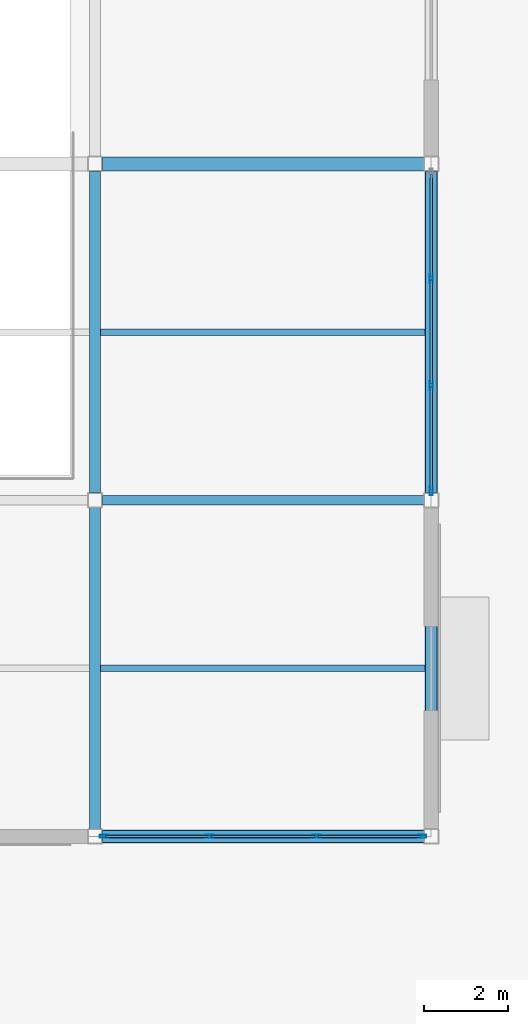
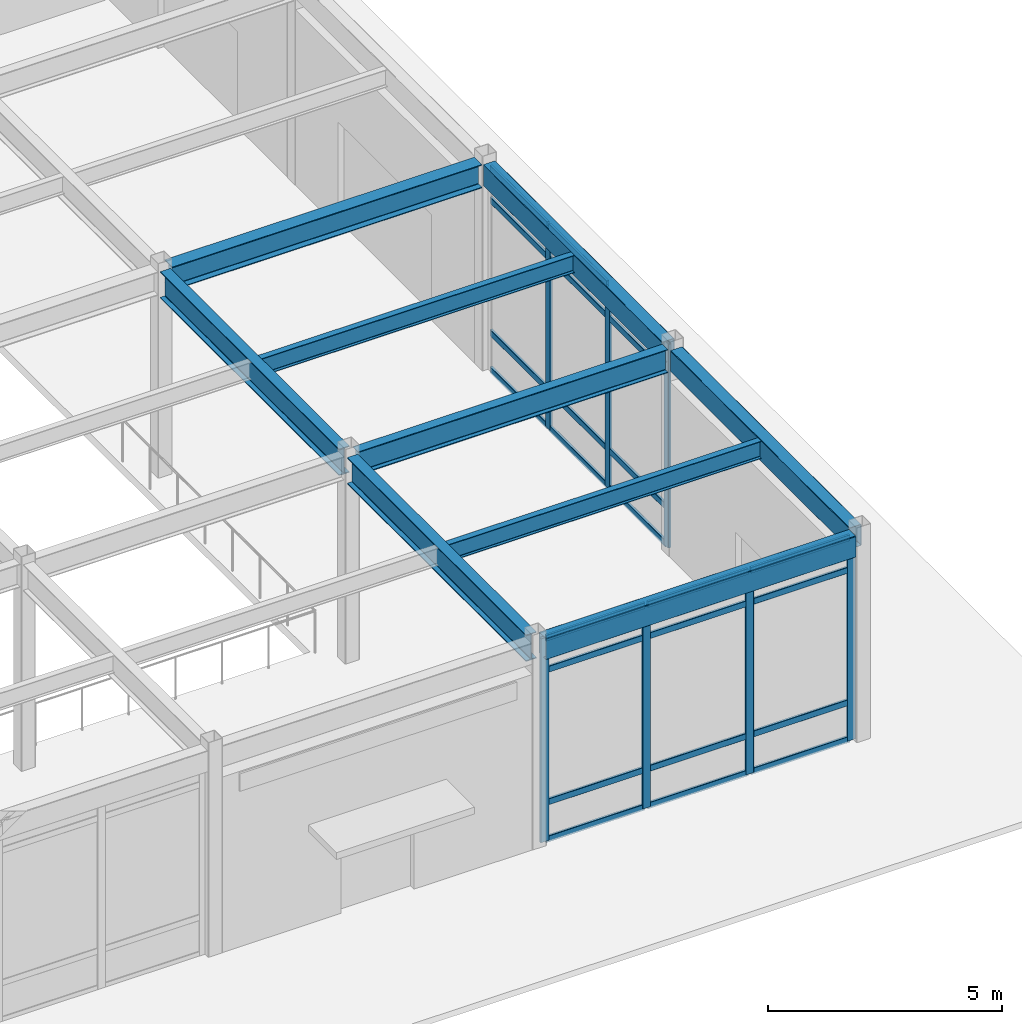
# One storey, part 79 of 128: 31 members, 9 beams, 2 elements without a shape of their own.
"""IFC4 building model written with IfcOpenShell, lengths in metres."""

import ifcopenshell
import ifcopenshell.guid

model = None  # the IFC model being written
_history = None  # IfcOwnerHistory: only IFC2X3 demands one
_inside = {}  # id of a spatial element -> (the spatial element, [elements in it])
_under = {}  # id of a project, library or spatial element -> (it, [spatial elements below it])
_declared = {}  # id of a project -> (the project, [libraries it declares])
_typed = {}  # id of a type object -> (the type object, [elements of that type])
_made_of = {}  # id of a material, layer set ... -> (it, [elements and type objects made of it])


def new_model(schema):
    """Start an empty IFC model of exactly this schema.

    Asked for "IFC4X3", IfcOpenShell would pick the latest addendum, in which some entities
    have other attributes; the version numbers below select the first issue.
    IFC2X3 requires an IfcOwnerHistory on every rooted entity: one is made here for all.
    """
    global model, _history
    if schema == "IFC4X3":
        model = ifcopenshell.file(schema_version=(4, 3, 0, 0))
    else:
        model = ifcopenshell.file(schema=schema)
    _inside.clear()
    _under.clear()
    _declared.clear()
    _typed.clear()
    _made_of.clear()
    _history = None
    if model.schema == "IFC2X3":
        org = make("IfcOrganization", Name="unknown")
        user = make(
            "IfcPersonAndOrganization",
            ThePerson=make("IfcPerson", FamilyName="unknown"),
            TheOrganization=org,
        )
        app = make(
            "IfcApplication",
            ApplicationDeveloper=org,
            Version="unknown",
            ApplicationFullName="unknown",
            ApplicationIdentifier="unknown",
        )
        _history = make(
            "IfcOwnerHistory",
            OwningUser=user,
            OwningApplication=app,
            ChangeAction="ADDED",
            CreationDate=0,
        )
    return model


def make(cls, **values):
    """One entity of the class cls with the attributes given. An attribute that is None is left unset."""
    return model.create_entity(
        cls, **{name: value for name, value in values.items() if value is not None}
    )


def rooted(cls, **values):
    """An entity with a GlobalId (a new one), such as an element, a storey or a relation."""
    return make(cls, GlobalId=ifcopenshell.guid.new(), OwnerHistory=_history, **values)


def si_unit(unit_type, name, prefix=None):
    """IfcSIUnit, for example si_unit("LENGTHUNIT", "METRE", prefix="MILLI")."""
    return make("IfcSIUnit", UnitType=unit_type, Prefix=prefix, Name=name)


def assignment(units):
    """IfcUnitAssignment: the units of a project."""
    return None if units is None else make("IfcUnitAssignment", Units=units)


def point(xyz):
    """IfcCartesianPoint."""
    return None if xyz is None else make("IfcCartesianPoint", Coordinates=xyz)


def direction(xyz):
    """IfcDirection."""
    return None if xyz is None else make("IfcDirection", DirectionRatios=xyz)


def frame(location, z_axis=None, x_axis=None):
    """IfcAxis2Placement3D, a coordinate frame: its origin and axes. An axis left out is left unset."""
    return make(
        "IfcAxis2Placement3D",
        Location=point(location),
        Axis=direction(z_axis),
        RefDirection=direction(x_axis),
    )


def frame_2d(location, x_axis=None):
    """IfcAxis2Placement2D, a coordinate frame in the plane: its origin and x axis."""
    return make(
        "IfcAxis2Placement2D", Location=point(location), RefDirection=direction(x_axis)
    )


def origin():
    """The frame at (0, 0, 0) with its axes left unset."""
    return frame((0.0, 0.0, 0.0))


def origin_2d():
    """The frame at (0, 0) in the plane with its x axis left unset."""
    return frame_2d((0.0, 0.0))


def place(relative_to, where):
    """IfcLocalPlacement: puts the frame where relative to a parent placement (None: the world)."""
    return make(
        "IfcLocalPlacement", PlacementRelTo=relative_to, RelativePlacement=where
    )


def context(
    kind, dimensions, precision=None, world=None, true_north=None, identifier=None
):
    """IfcGeometricRepresentationContext, for example the 3D "Model" context."""
    return make(
        "IfcGeometricRepresentationContext",
        ContextIdentifier=identifier,
        ContextType=kind,
        CoordinateSpaceDimension=dimensions,
        Precision=precision,
        WorldCoordinateSystem=world,
        TrueNorth=true_north,
    )


def subcontext(parent, identifier, kind, view, scale=None):
    """IfcGeometricRepresentationSubContext, for example "Body" below "Model"."""
    return make(
        "IfcGeometricRepresentationSubContext",
        ContextIdentifier=identifier,
        ContextType=kind,
        ParentContext=parent,
        TargetScale=scale,
        TargetView=view,
    )


def project(units=None, contexts=None):
    """IfcProject with its units and contexts."""
    return rooted(
        "IfcProject",
        Name="project",
        RepresentationContexts=contexts,
        UnitsInContext=assignment(units),
    )


def spatial(cls, under=None, at=None, **own):
    """A site, building, storey or space (cls), placed at a placement, below another one or the project."""
    s = rooted(cls, ObjectPlacement=at, **own)
    if under is not None:
        _under.setdefault(under.id(), (under, []))[1].append(s)
    return s


def profile(cls, at=None, kind="AREA", **sizes):
    """A parametric profile (cls). Its sizes go by their IFC names, for example OverallWidth=200.0."""
    return make(cls, ProfileType=kind, Position=at, **sizes)


def hollow_rectangle(**sizes):
    """IfcRectangleHollowProfileDef."""
    return profile("IfcRectangleHollowProfileDef", **sizes)


def i_section(**sizes):
    """IfcIShapeProfileDef."""
    return profile("IfcIShapeProfileDef", **sizes)


def extrude(swept, where, along, depth):
    """IfcExtrudedAreaSolid: the profile swept, set in the frame where, extruded along a direction by depth."""
    return make(
        "IfcExtrudedAreaSolid",
        SweptArea=swept,
        Position=where,
        ExtrudedDirection=direction(along),
        Depth=depth,
    )


def shape(context_of_items, identifier, shape_type, items):
    """IfcShapeRepresentation: the items that make up one representation, for example the "Body"."""
    return make(
        "IfcShapeRepresentation",
        ContextOfItems=context_of_items,
        RepresentationIdentifier=identifier,
        RepresentationType=shape_type,
        Items=items,
    )


def material(Name=None, Category=None):
    """IfcMaterial."""
    return make("IfcMaterial", Name=Name, Category=Category)


def material_profile(
    of_material, cross_section, Name=None, Category=None, Priority=None
):
    """IfcMaterialProfile: a cross section and its material."""
    return make(
        "IfcMaterialProfile",
        Name=Name,
        Material=of_material,
        Profile=cross_section,
        Priority=Priority,
        Category=Category,
    )


def profile_set(profiles, Name=None, composite=None):
    """IfcMaterialProfileSet."""
    return make(
        "IfcMaterialProfileSet",
        Name=Name,
        MaterialProfiles=profiles,
        CompositeProfile=composite,
    )


def made_of(thing, what):
    """Note that an element or type object is made of a material, layer set ...; save() writes the relation."""
    if what is not None:
        _made_of.setdefault(what.id(), (what, []))[1].append(thing)
    return thing


def type_object(cls, material=None, **own):
    """A type object (cls), such as IfcWallType, which elements share."""
    return made_of(rooted(cls, **own), material)


def element(
    cls,
    number,
    at=None,
    inside=None,
    cuts=None,
    type_object=None,
    material=None,
    context=None,
    identifier="Body",
    shape_type=None,
    held_by="IfcProductDefinitionShape",
    body=None,
    shapes=None,
    **own,
):
    """One element of the class cls, such as IfcWall. Its Tag is "e" and its number.

    at: its placement. inside: the storey or other place that contains it. cuts: it is an
    opening in that element (IfcRelVoidsElement). A single representation is given by context,
    identifier, shape_type and body (its items); several are given by shapes. held_by: the class
    of the entity that holds the representations. save() writes the other relations.
    """
    e = rooted(cls, Tag="e%d" % number, ObjectPlacement=at, **own)
    if body is not None:
        shapes = [shape(context, identifier, shape_type, body)]
    if shapes is not None:
        e.Representation = make(held_by, Representations=shapes)
    if inside is not None:
        _inside.setdefault(inside.id(), (inside, []))[1].append(e)
    if cuts is not None:
        rooted(
            "IfcRelVoidsElement", RelatingBuildingElement=cuts, RelatedOpeningElement=e
        )
    if type_object is not None:
        _typed.setdefault(type_object.id(), (type_object, []))[1].append(e)
    return made_of(e, material)


def aggregate(whole, parts):
    """IfcRelAggregates: a whole, such as a stair, and the parts it consists of."""
    return rooted("IfcRelAggregates", RelatingObject=whole, RelatedObjects=parts)


def save(model, path):
    """Write the relations noted so far, then the file.

    IfcRelAggregates (storeys below a building ...), IfcRelContainedInSpatialStructure (elements
    in a storey), IfcRelDefinesByType, IfcRelAssociatesMaterial and IfcRelDeclares: one each for
    every whole, place, type object, material and project.
    """
    for whole, parts in _under.values():
        aggregate(whole, parts)
    for where, things in _inside.values():
        rooted(
            "IfcRelContainedInSpatialStructure",
            RelatedElements=things,
            RelatingStructure=where,
        )
    for kind, things in _typed.values():
        rooted("IfcRelDefinesByType", RelatedObjects=things, RelatingType=kind)
    for what, things in _made_of.values():
        rooted("IfcRelAssociatesMaterial", RelatedObjects=things, RelatingMaterial=what)
    for by, libraries in _declared.values():
        rooted("IfcRelDeclares", RelatingContext=by, RelatedDefinitions=libraries)
    model.write(path)


model = new_model("IFC4")

# Units and contexts
model_context = context("Model", 3, precision=1e-05, world=origin(), true_north=direction((0.0, 1.0)))
body_context = subcontext(model_context, "Body", "Model", "MODEL_VIEW")
ifc_project = project(units=[si_unit("LENGTHUNIT", "METRE"), si_unit("AREAUNIT", "SQUARE_METRE"), si_unit("VOLUMEUNIT", "CUBIC_METRE"), si_unit("PLANEANGLEUNIT", "RADIAN"), si_unit("MASSUNIT", "GRAM", prefix="KILO")], contexts=[model_context])

# Site, building, storey
site_placement = place(None, origin())
site = spatial("IfcSite", under=ifc_project, at=site_placement, CompositionType="ELEMENT")
building_placement = place(site_placement, origin())
building = spatial("IfcBuilding", under=site, at=building_placement, Name="Solmirada Galleria", CompositionType="ELEMENT")
storey_placement = place(building_placement, origin())
storey = spatial("IfcBuildingStorey", under=building, at=storey_placement, Name="L00", CompositionType="ELEMENT", Elevation=0.0)

# Beams
ifc_material_1 = material(Name="Steel S355 / ASTM A992 Grade 50", Category="steel")
ifc_material_profile_1 = material_profile(ifc_material_1, i_section(OverallWidth=0.323974609375, OverallDepth=0.611083984375, WebThickness=0.0126953125, FlangeThickness=0.01904296875, FilletRadius=0.014892578125, at=origin_2d()), Name="W24X104")
ifc_profile_set_1 = profile_set([ifc_material_profile_1], Name="Steel S355 / ASTM A992 Grade 50")
beam_type_1 = type_object("IfcBeamType", Name="BM-GIRD-W24A", PredefinedType="BEAM", material=ifc_profile_set_1)
beam_1_placement = place(storey_placement, frame((168.177978515625, 16.0, 5.074462890625), z_axis=(1.0, 0.0, 0.0), x_axis=(0.0, 1.0, 0.0)))
element("IfcBeam", 1, at=beam_1_placement, inside=storey, type_object=beam_type_1, Name="Primary beam L01 X(168..176, 16)", PredefinedType="BEAM", context=body_context, shape_type="SweptSolid", body=[
    extrude(i_section(OverallWidth=0.323974609375, OverallDepth=0.611083984375, WebThickness=0.0126953125, FlangeThickness=0.01904296875, FilletRadius=0.014892578125, at=origin_2d()), origin(), (0.0, 0.0, 1.0), 7.64404296875),
])
ifc_material_profile_2 = material_profile(ifc_material_1, i_section(OverallWidth=0.22900390625, OverallDepth=0.612060546875, WebThickness=0.011962890625, FlangeThickness=0.01953125, FilletRadius=0.014892578125, at=origin_2d()), Name="W24X84")
ifc_profile_set_2 = profile_set([ifc_material_profile_2], Name="Steel S355 / ASTM A992 Grade 50")
beam_type_2 = type_object("IfcBeamType", Name="BM-GIRD-W24B", PredefinedType="BEAM", material=ifc_profile_set_2)
beam_2_placement = place(storey_placement, frame((168.177978515625, 8.0, 5.073974609375), z_axis=(1.0, 0.0, 0.0), x_axis=(0.0, 1.0, 0.0)))
element("IfcBeam", 2, at=beam_2_placement, inside=storey, type_object=beam_type_2, Name="Primary beam L01 X(168..176, 8)", PredefinedType="BEAM", context=body_context, shape_type="SweptSolid", body=[
    extrude(i_section(OverallWidth=0.22900390625, OverallDepth=0.612060546875, WebThickness=0.011962890625, FlangeThickness=0.01953125, FilletRadius=0.014892578125, at=origin_2d()), origin(), (0.0, 0.0, 1.0), 7.64404296875),
])
ifc_material_profile_3 = material_profile(ifc_material_1, i_section(OverallWidth=0.256103515625, OverallDepth=0.693115234375, WebThickness=0.014404296875, FlangeThickness=0.023681640625, FilletRadius=0.01806640625, at=origin_2d()), Name="W27X114")
ifc_profile_set_3 = profile_set([ifc_material_profile_3], Name="Steel S355 / ASTM A992 Grade 50")
beam_type_3 = type_object("IfcBeamType", Name="BM-GIRD-W27A", PredefinedType="BEAM", material=ifc_profile_set_3)
for number, where, z_axis, x_axis, name in (
    (3, (168.0, 0.177978515625, 5.033447265625), (0.0, 1.0, 0.0), (-1.0, 0.0, 0.0), "Primary girder L01 Y(168, 0..8)"),
    (4, (168.0, 8.177978515625, 5.033447265625), (0.0, 1.0, 0.0), (-1.0, 0.0, 0.0), "Primary girder L01 Y(168, 8..16)"),
):
    element("IfcBeam", number, at=place(storey_placement, frame(where, z_axis=z_axis, x_axis=x_axis)), inside=storey, type_object=beam_type_3, Name=name, PredefinedType="BEAM", context=body_context, shape_type="SweptSolid", body=[
        extrude(i_section(OverallWidth=0.256103515625, OverallDepth=0.693115234375, WebThickness=0.014404296875, FlangeThickness=0.023681640625, FilletRadius=0.01806640625, at=origin_2d()), origin(), (0.0, 0.0, 1.0), 7.64404296875),
    ])
ifc_material_profile_4 = material_profile(ifc_material_1, i_section(OverallWidth=0.153076171875, OverallDepth=0.455078125, WebThickness=0.008056640625, FlangeThickness=0.01318359375, FilletRadius=0.011962890625, at=origin_2d()), Name="W18X40")
ifc_profile_set_4 = profile_set([ifc_material_profile_4], Name="Steel S355 / ASTM A992 Grade 50")
beam_type_4 = type_object("IfcBeamType", Name="BM-JST-W18A", PredefinedType="JOIST", material=ifc_profile_set_4)
for number, where, z_axis, x_axis, name in (
    (5, (168.1279296875, 4.0, 5.152587890625), (1.0, 0.0, 0.0), (0.0, 1.0, 0.0), "Composite floor joist L01 (168..176, 4.0)"),
    (6, (168.1279296875, 12.0, 5.152587890625), (1.0, 0.0, 0.0), (0.0, 1.0, 0.0), "Composite floor joist L01 (168..176, 12.0)"),
):
    element("IfcBeam", number, at=place(storey_placement, frame(where, z_axis=z_axis, x_axis=x_axis)), inside=storey, type_object=beam_type_4, Name=name, PredefinedType="JOIST", context=body_context, shape_type="SweptSolid", body=[
        extrude(i_section(OverallWidth=0.153076171875, OverallDepth=0.455078125, WebThickness=0.008056640625, FlangeThickness=0.01318359375, FilletRadius=0.011962890625, at=origin_2d()), origin(), (0.0, 0.0, 1.0), 7.719482421875),
    ])
ifc_material_2 = material(Name="Steel S355 / ASTM A500 Grade C", Category="steel")
ifc_material_profile_5 = material_profile(ifc_material_2, hollow_rectangle(XDim=0.304931640625, YDim=0.55908203125, WallThickness=0.01171875, InnerFilletRadius=0.01171875, OuterFilletRadius=0.023681640625, at=origin_2d()), Name="HSS22X12X1/2")
ifc_profile_set_5 = profile_set([ifc_material_profile_5], Name="Steel S355 / ASTM A500 Grade C")
beam_type_5 = type_object("IfcBeamType", Name="BM-SPAND-W21", PredefinedType="SPANDREL", material=ifc_profile_set_5)
for number, where, z_axis, x_axis, name in (
    (7, (168.177978515625, 0.0, 5.1005859375), (1.0, 0.0, 0.0), (0.0, 1.0, 0.0), "Primary beam L01 X(168..176, 0)"),
    (8, (176.0, 0.177978515625, 5.1005859375), (0.0, 1.0, 0.0), (-1.0, 0.0, 0.0), "Primary girder L01 Y(176, 0..8)"),
    (9, (176.0, 8.177978515625, 5.1005859375), (0.0, 1.0, 0.0), (-1.0, 0.0, 0.0), "Primary girder L01 Y(176, 8..16)"),
):
    element("IfcBeam", number, at=place(storey_placement, frame(where, z_axis=z_axis, x_axis=x_axis)), inside=storey, type_object=beam_type_5, Name=name, PredefinedType="SPANDREL", context=body_context, shape_type="SweptSolid", body=[
        extrude(hollow_rectangle(XDim=0.304931640625, YDim=0.55908203125, WallThickness=0.01171875, InnerFilletRadius=0.01171875, OuterFilletRadius=0.023681640625, at=origin_2d()), origin(), (0.0, 0.0, 1.0), 7.64404296875),
    ])

# Curtain wall, members
ifc_material_3 = material(Name="Impact-resistant low-E double glazing", Category="glass")
curtain_wall_type = type_object("IfcCurtainWallType", Name="CW-FZ5-L00-B3-L076", PredefinedType="NOTDEFINED", material=ifc_material_3)
curtain_wall_1_placement = place(storey_placement, origin())
curtain_wall_1 = element("IfcCurtainWall", 10, at=curtain_wall_1_placement, inside=storey, type_object=curtain_wall_type, Name="Terrace and arcade storefront CW-L00-023", PredefinedType="NOTDEFINED")
ifc_material_4 = material(Name="Anodised aluminium framing", Category="aluminium")
ifc_material_profile_6 = material_profile(ifc_material_4, hollow_rectangle(XDim=0.070068359375, YDim=0.199951171875, WallThickness=0.004150390625, InnerFilletRadius=0.004150390625, OuterFilletRadius=0.00830078125, at=origin_2d()), Name="ALU-MULL-200X70")
ifc_profile_set_6 = profile_set([ifc_material_profile_6], Name="Anodised aluminium framing")
member_type_1 = type_object("IfcMemberType", Name="CW-MULL-200", PredefinedType="MULLION", material=ifc_profile_set_6)
member_1_placement = place(storey_placement, frame((176.0, 13.2734375, 0.0), z_axis=(0.0, 0.0, 1.0), x_axis=(1.0, 0.0, 0.0)))
member_1 = element("IfcMember", 11, at=member_1_placement, type_object=member_type_1, Name="CW09 mullion 2", PredefinedType="MULLION", context=body_context, shape_type="SweptSolid", body=[
    extrude(hollow_rectangle(XDim=0.070068359375, YDim=0.199951171875, WallThickness=0.004150390625, InnerFilletRadius=0.004150390625, OuterFilletRadius=0.00830078125, at=origin_2d()), origin(), (0.0, 0.0, 1.0), 5.320068359375),
])
member_2_placement = place(storey_placement, frame((176.0, 10.7265625, 0.0), z_axis=(0.0, 0.0, 1.0), x_axis=(1.0, 0.0, 0.0)))
member_2 = element("IfcMember", 12, at=member_2_placement, type_object=member_type_1, Name="CW09 mullion 3", PredefinedType="MULLION", context=body_context, shape_type="SweptSolid", body=[
    extrude(hollow_rectangle(XDim=0.070068359375, YDim=0.199951171875, WallThickness=0.004150390625, InnerFilletRadius=0.004150390625, OuterFilletRadius=0.00830078125, at=origin_2d()), origin(), (0.0, 0.0, 1.0), 5.320068359375),
])
member_3_placement = place(storey_placement, frame((176.0, 8.215087890625, 0.0), z_axis=(0.0, 0.0, 1.0), x_axis=(1.0, 0.0, 0.0)))
member_3 = element("IfcMember", 13, at=member_3_placement, type_object=member_type_1, Name="CW09 mullion 4", PredefinedType="MULLION", context=body_context, shape_type="SweptSolid", body=[
    extrude(hollow_rectangle(XDim=0.070068359375, YDim=0.199951171875, WallThickness=0.004150390625, InnerFilletRadius=0.004150390625, OuterFilletRadius=0.00830078125, at=origin_2d()), origin(), (0.0, 0.0, 1.0), 5.320068359375),
])

curtain_wall_2_placement = place(storey_placement, origin())
curtain_wall_2 = element("IfcCurtainWall", 14, at=curtain_wall_2_placement, inside=storey, type_object=curtain_wall_type, Name="Terrace and arcade storefront CW-L00-024", PredefinedType="NOTDEFINED")
member_4_placement = place(storey_placement, frame((175.784912109375, 0.0, 0.0), z_axis=(0.0, 0.0, 1.0), x_axis=(0.0, -1.0, 0.0)))
member_4 = element("IfcMember", 15, at=member_4_placement, type_object=member_type_1, Name="CW09 mullion 1", PredefinedType="MULLION", context=body_context, shape_type="SweptSolid", body=[
    extrude(hollow_rectangle(XDim=0.070068359375, YDim=0.199951171875, WallThickness=0.004150390625, InnerFilletRadius=0.004150390625, OuterFilletRadius=0.00830078125, at=origin_2d()), origin(), (0.0, 0.0, 1.0), 5.320068359375),
])
member_5_placement = place(storey_placement, frame((173.2734375, 0.0, 0.0), z_axis=(0.0, 0.0, 1.0), x_axis=(0.0, -1.0, 0.0)))
member_5 = element("IfcMember", 16, at=member_5_placement, type_object=member_type_1, Name="CW09 mullion 2", PredefinedType="MULLION", context=body_context, shape_type="SweptSolid", body=[
    extrude(hollow_rectangle(XDim=0.070068359375, YDim=0.199951171875, WallThickness=0.004150390625, InnerFilletRadius=0.004150390625, OuterFilletRadius=0.00830078125, at=origin_2d()), origin(), (0.0, 0.0, 1.0), 5.320068359375),
])
member_6_placement = place(storey_placement, frame((170.7265625, 0.0, 0.0), z_axis=(0.0, 0.0, 1.0), x_axis=(0.0, -1.0, 0.0)))
member_6 = element("IfcMember", 17, at=member_6_placement, type_object=member_type_1, Name="CW09 mullion 3", PredefinedType="MULLION", context=body_context, shape_type="SweptSolid", body=[
    extrude(hollow_rectangle(XDim=0.070068359375, YDim=0.199951171875, WallThickness=0.004150390625, InnerFilletRadius=0.004150390625, OuterFilletRadius=0.00830078125, at=origin_2d()), origin(), (0.0, 0.0, 1.0), 5.320068359375),
])
member_7_placement = place(storey_placement, frame((168.215087890625, 0.0, 0.0), z_axis=(0.0, 0.0, 1.0), x_axis=(0.0, -1.0, 0.0)))
member_7 = element("IfcMember", 18, at=member_7_placement, type_object=member_type_1, Name="CW09 mullion 4", PredefinedType="MULLION", context=body_context, shape_type="SweptSolid", body=[
    extrude(hollow_rectangle(XDim=0.070068359375, YDim=0.199951171875, WallThickness=0.004150390625, InnerFilletRadius=0.004150390625, OuterFilletRadius=0.00830078125, at=origin_2d()), origin(), (0.0, 0.0, 1.0), 5.320068359375),
])

# Member
ifc_material_profile_7 = material_profile(ifc_material_4, hollow_rectangle(XDim=0.06494140625, YDim=0.159912109375, WallThickness=0.00390625, InnerFilletRadius=0.00390625, OuterFilletRadius=0.007568359375, at=origin_2d()), Name="ALU-TRAN-160X65")
ifc_profile_set_7 = profile_set([ifc_material_profile_7], Name="Anodised aluminium framing")
member_type_2 = type_object("IfcMemberType", Name="CW-TRAN-160", PredefinedType="USERDEFINED", material=ifc_profile_set_7)
member_8_placement = place(storey_placement, frame((176.0, 15.75, 0.032470703125), z_axis=(0.0, -1.0, 0.0), x_axis=(1.0, 0.0, 0.0)))
member_8 = element("IfcMember", 19, at=member_8_placement, type_object=member_type_2, Name="CW09 transom 1.1", ObjectType="TRANSOM", PredefinedType="USERDEFINED", context=body_context, shape_type="SweptSolid", body=[
    extrude(hollow_rectangle(XDim=0.06494140625, YDim=0.159912109375, WallThickness=0.00390625, InnerFilletRadius=0.00390625, OuterFilletRadius=0.007568359375, at=origin_2d()), origin(), (0.0, 0.0, 1.0), 2.441650390625),
])

member_9_placement = place(storey_placement, frame((176.0, 15.75, 1.0), z_axis=(0.0, -1.0, 0.0), x_axis=(1.0, 0.0, 0.0)))
member_9 = element("IfcMember", 20, at=member_9_placement, type_object=member_type_2, Name="CW09 transom 1.2", ObjectType="TRANSOM", PredefinedType="USERDEFINED", context=body_context, shape_type="SweptSolid", body=[
    extrude(hollow_rectangle(XDim=0.06494140625, YDim=0.159912109375, WallThickness=0.00390625, InnerFilletRadius=0.00390625, OuterFilletRadius=0.007568359375, at=origin_2d()), origin(), (0.0, 0.0, 1.0), 2.441650390625),
])

member_10_placement = place(storey_placement, frame((176.0, 15.75, 4.4599609375), z_axis=(0.0, -1.0, 0.0), x_axis=(1.0, 0.0, 0.0)))
member_10 = element("IfcMember", 21, at=member_10_placement, type_object=member_type_2, Name="CW09 transom 1.3", ObjectType="TRANSOM", PredefinedType="USERDEFINED", context=body_context, shape_type="SweptSolid", body=[
    extrude(hollow_rectangle(XDim=0.06494140625, YDim=0.159912109375, WallThickness=0.00390625, InnerFilletRadius=0.00390625, OuterFilletRadius=0.007568359375, at=origin_2d()), origin(), (0.0, 0.0, 1.0), 2.441650390625),
])

member_11_placement = place(storey_placement, frame((176.0, 15.75, 5.28759765625), z_axis=(0.0, -1.0, 0.0), x_axis=(1.0, 0.0, 0.0)))
member_11 = element("IfcMember", 22, at=member_11_placement, type_object=member_type_2, Name="CW09 transom 1.4", ObjectType="TRANSOM", PredefinedType="USERDEFINED", context=body_context, shape_type="SweptSolid", body=[
    extrude(hollow_rectangle(XDim=0.06494140625, YDim=0.159912109375, WallThickness=0.00390625, InnerFilletRadius=0.00390625, OuterFilletRadius=0.007568359375, at=origin_2d()), origin(), (0.0, 0.0, 1.0), 2.441650390625),
])

member_12_placement = place(storey_placement, frame((176.0, 13.23828125, 0.032470703125), z_axis=(0.0, -1.0, 0.0), x_axis=(1.0, 0.0, 0.0)))
member_12 = element("IfcMember", 23, at=member_12_placement, type_object=member_type_2, Name="CW09 transom 2.1", ObjectType="TRANSOM", PredefinedType="USERDEFINED", context=body_context, shape_type="SweptSolid", body=[
    extrude(hollow_rectangle(XDim=0.06494140625, YDim=0.159912109375, WallThickness=0.00390625, InnerFilletRadius=0.00390625, OuterFilletRadius=0.007568359375, at=origin_2d()), origin(), (0.0, 0.0, 1.0), 2.4765625),
])

member_13_placement = place(storey_placement, frame((176.0, 13.23828125, 1.0), z_axis=(0.0, -1.0, 0.0), x_axis=(1.0, 0.0, 0.0)))
member_13 = element("IfcMember", 24, at=member_13_placement, type_object=member_type_2, Name="CW09 transom 2.2", ObjectType="TRANSOM", PredefinedType="USERDEFINED", context=body_context, shape_type="SweptSolid", body=[
    extrude(hollow_rectangle(XDim=0.06494140625, YDim=0.159912109375, WallThickness=0.00390625, InnerFilletRadius=0.00390625, OuterFilletRadius=0.007568359375, at=origin_2d()), origin(), (0.0, 0.0, 1.0), 2.4765625),
])

member_14_placement = place(storey_placement, frame((176.0, 13.23828125, 4.4599609375), z_axis=(0.0, -1.0, 0.0), x_axis=(1.0, 0.0, 0.0)))
member_14 = element("IfcMember", 25, at=member_14_placement, type_object=member_type_2, Name="CW09 transom 2.3", ObjectType="TRANSOM", PredefinedType="USERDEFINED", context=body_context, shape_type="SweptSolid", body=[
    extrude(hollow_rectangle(XDim=0.06494140625, YDim=0.159912109375, WallThickness=0.00390625, InnerFilletRadius=0.00390625, OuterFilletRadius=0.007568359375, at=origin_2d()), origin(), (0.0, 0.0, 1.0), 2.4765625),
])

member_15_placement = place(storey_placement, frame((176.0, 13.23828125, 5.28759765625), z_axis=(0.0, -1.0, 0.0), x_axis=(1.0, 0.0, 0.0)))
member_15 = element("IfcMember", 26, at=member_15_placement, type_object=member_type_2, Name="CW09 transom 2.4", ObjectType="TRANSOM", PredefinedType="USERDEFINED", context=body_context, shape_type="SweptSolid", body=[
    extrude(hollow_rectangle(XDim=0.06494140625, YDim=0.159912109375, WallThickness=0.00390625, InnerFilletRadius=0.00390625, OuterFilletRadius=0.007568359375, at=origin_2d()), origin(), (0.0, 0.0, 1.0), 2.4765625),
])

member_16_placement = place(storey_placement, frame((176.0, 10.691650390625, 0.032470703125), z_axis=(0.0, -1.0, 0.0), x_axis=(1.0, 0.0, 0.0)))
member_16 = element("IfcMember", 27, at=member_16_placement, type_object=member_type_2, Name="CW09 transom 3.1", ObjectType="TRANSOM", PredefinedType="USERDEFINED", context=body_context, shape_type="SweptSolid", body=[
    extrude(hollow_rectangle(XDim=0.06494140625, YDim=0.159912109375, WallThickness=0.00390625, InnerFilletRadius=0.00390625, OuterFilletRadius=0.007568359375, at=origin_2d()), origin(), (0.0, 0.0, 1.0), 2.441650390625),
])

member_17_placement = place(storey_placement, frame((176.0, 10.691650390625, 1.0), z_axis=(0.0, -1.0, 0.0), x_axis=(1.0, 0.0, 0.0)))
member_17 = element("IfcMember", 28, at=member_17_placement, type_object=member_type_2, Name="CW09 transom 3.2", ObjectType="TRANSOM", PredefinedType="USERDEFINED", context=body_context, shape_type="SweptSolid", body=[
    extrude(hollow_rectangle(XDim=0.06494140625, YDim=0.159912109375, WallThickness=0.00390625, InnerFilletRadius=0.00390625, OuterFilletRadius=0.007568359375, at=origin_2d()), origin(), (0.0, 0.0, 1.0), 2.441650390625),
])

member_18_placement = place(storey_placement, frame((176.0, 10.691650390625, 4.4599609375), z_axis=(0.0, -1.0, 0.0), x_axis=(1.0, 0.0, 0.0)))
member_18 = element("IfcMember", 29, at=member_18_placement, type_object=member_type_2, Name="CW09 transom 3.3", ObjectType="TRANSOM", PredefinedType="USERDEFINED", context=body_context, shape_type="SweptSolid", body=[
    extrude(hollow_rectangle(XDim=0.06494140625, YDim=0.159912109375, WallThickness=0.00390625, InnerFilletRadius=0.00390625, OuterFilletRadius=0.007568359375, at=origin_2d()), origin(), (0.0, 0.0, 1.0), 2.441650390625),
])

member_19_placement = place(storey_placement, frame((176.0, 10.691650390625, 5.28759765625), z_axis=(0.0, -1.0, 0.0), x_axis=(1.0, 0.0, 0.0)))
member_19 = element("IfcMember", 30, at=member_19_placement, type_object=member_type_2, Name="CW09 transom 3.4", ObjectType="TRANSOM", PredefinedType="USERDEFINED", context=body_context, shape_type="SweptSolid", body=[
    extrude(hollow_rectangle(XDim=0.06494140625, YDim=0.159912109375, WallThickness=0.00390625, InnerFilletRadius=0.00390625, OuterFilletRadius=0.007568359375, at=origin_2d()), origin(), (0.0, 0.0, 1.0), 2.441650390625),
])

aggregate(curtain_wall_1, [member_1, member_2, member_3, member_8, member_9, member_10, member_11, member_12, member_13, member_14, member_15, member_16, member_17, member_18, member_19])

member_20_placement = place(storey_placement, frame((175.75, 0.0, 0.032470703125), z_axis=(-1.0, 0.0, 0.0), x_axis=(0.0, -1.0, 0.0)))
member_20 = element("IfcMember", 31, at=member_20_placement, type_object=member_type_2, Name="CW09 transom 1.1", ObjectType="TRANSOM", PredefinedType="USERDEFINED", context=body_context, shape_type="SweptSolid", body=[
    extrude(hollow_rectangle(XDim=0.06494140625, YDim=0.159912109375, WallThickness=0.00390625, InnerFilletRadius=0.00390625, OuterFilletRadius=0.007568359375, at=origin_2d()), origin(), (0.0, 0.0, 1.0), 2.441650390625),
])

member_21_placement = place(storey_placement, frame((175.75, 0.0, 1.0), z_axis=(-1.0, 0.0, 0.0), x_axis=(0.0, -1.0, 0.0)))
member_21 = element("IfcMember", 32, at=member_21_placement, type_object=member_type_2, Name="CW09 transom 1.2", ObjectType="TRANSOM", PredefinedType="USERDEFINED", context=body_context, shape_type="SweptSolid", body=[
    extrude(hollow_rectangle(XDim=0.06494140625, YDim=0.159912109375, WallThickness=0.00390625, InnerFilletRadius=0.00390625, OuterFilletRadius=0.007568359375, at=origin_2d()), origin(), (0.0, 0.0, 1.0), 2.441650390625),
])

member_22_placement = place(storey_placement, frame((175.75, 0.0, 4.4599609375), z_axis=(-1.0, 0.0, 0.0), x_axis=(0.0, -1.0, 0.0)))
member_22 = element("IfcMember", 33, at=member_22_placement, type_object=member_type_2, Name="CW09 transom 1.3", ObjectType="TRANSOM", PredefinedType="USERDEFINED", context=body_context, shape_type="SweptSolid", body=[
    extrude(hollow_rectangle(XDim=0.06494140625, YDim=0.159912109375, WallThickness=0.00390625, InnerFilletRadius=0.00390625, OuterFilletRadius=0.007568359375, at=origin_2d()), origin(), (0.0, 0.0, 1.0), 2.441650390625),
])

member_23_placement = place(storey_placement, frame((175.75, 0.0, 5.28759765625), z_axis=(-1.0, 0.0, 0.0), x_axis=(0.0, -1.0, 0.0)))
member_23 = element("IfcMember", 34, at=member_23_placement, type_object=member_type_2, Name="CW09 transom 1.4", ObjectType="TRANSOM", PredefinedType="USERDEFINED", context=body_context, shape_type="SweptSolid", body=[
    extrude(hollow_rectangle(XDim=0.06494140625, YDim=0.159912109375, WallThickness=0.00390625, InnerFilletRadius=0.00390625, OuterFilletRadius=0.007568359375, at=origin_2d()), origin(), (0.0, 0.0, 1.0), 2.441650390625),
])

member_24_placement = place(storey_placement, frame((173.23828125, 0.0, 0.032470703125), z_axis=(-1.0, 0.0, 0.0), x_axis=(0.0, -1.0, 0.0)))
member_24 = element("IfcMember", 35, at=member_24_placement, type_object=member_type_2, Name="CW09 transom 2.1", ObjectType="TRANSOM", PredefinedType="USERDEFINED", context=body_context, shape_type="SweptSolid", body=[
    extrude(hollow_rectangle(XDim=0.06494140625, YDim=0.159912109375, WallThickness=0.00390625, InnerFilletRadius=0.00390625, OuterFilletRadius=0.007568359375, at=origin_2d()), origin(), (0.0, 0.0, 1.0), 2.4765625),
])

member_25_placement = place(storey_placement, frame((173.23828125, 0.0, 1.0), z_axis=(-1.0, 0.0, 0.0), x_axis=(0.0, -1.0, 0.0)))
member_25 = element("IfcMember", 36, at=member_25_placement, type_object=member_type_2, Name="CW09 transom 2.2", ObjectType="TRANSOM", PredefinedType="USERDEFINED", context=body_context, shape_type="SweptSolid", body=[
    extrude(hollow_rectangle(XDim=0.06494140625, YDim=0.159912109375, WallThickness=0.00390625, InnerFilletRadius=0.00390625, OuterFilletRadius=0.007568359375, at=origin_2d()), origin(), (0.0, 0.0, 1.0), 2.4765625),
])

member_26_placement = place(storey_placement, frame((173.23828125, 0.0, 4.4599609375), z_axis=(-1.0, 0.0, 0.0), x_axis=(0.0, -1.0, 0.0)))
member_26 = element("IfcMember", 37, at=member_26_placement, type_object=member_type_2, Name="CW09 transom 2.3", ObjectType="TRANSOM", PredefinedType="USERDEFINED", context=body_context, shape_type="SweptSolid", body=[
    extrude(hollow_rectangle(XDim=0.06494140625, YDim=0.159912109375, WallThickness=0.00390625, InnerFilletRadius=0.00390625, OuterFilletRadius=0.007568359375, at=origin_2d()), origin(), (0.0, 0.0, 1.0), 2.4765625),
])

member_27_placement = place(storey_placement, frame((173.23828125, 0.0, 5.28759765625), z_axis=(-1.0, 0.0, 0.0), x_axis=(0.0, -1.0, 0.0)))
member_27 = element("IfcMember", 38, at=member_27_placement, type_object=member_type_2, Name="CW09 transom 2.4", ObjectType="TRANSOM", PredefinedType="USERDEFINED", context=body_context, shape_type="SweptSolid", body=[
    extrude(hollow_rectangle(XDim=0.06494140625, YDim=0.159912109375, WallThickness=0.00390625, InnerFilletRadius=0.00390625, OuterFilletRadius=0.007568359375, at=origin_2d()), origin(), (0.0, 0.0, 1.0), 2.4765625),
])

member_28_placement = place(storey_placement, frame((170.691650390625, 0.0, 0.032470703125), z_axis=(-1.0, 0.0, 0.0), x_axis=(0.0, -1.0, 0.0)))
member_28 = element("IfcMember", 39, at=member_28_placement, type_object=member_type_2, Name="CW09 transom 3.1", ObjectType="TRANSOM", PredefinedType="USERDEFINED", context=body_context, shape_type="SweptSolid", body=[
    extrude(hollow_rectangle(XDim=0.06494140625, YDim=0.159912109375, WallThickness=0.00390625, InnerFilletRadius=0.00390625, OuterFilletRadius=0.007568359375, at=origin_2d()), origin(), (0.0, 0.0, 1.0), 2.441650390625),
])

member_29_placement = place(storey_placement, frame((170.691650390625, 0.0, 1.0), z_axis=(-1.0, 0.0, 0.0), x_axis=(0.0, -1.0, 0.0)))
member_29 = element("IfcMember", 40, at=member_29_placement, type_object=member_type_2, Name="CW09 transom 3.2", ObjectType="TRANSOM", PredefinedType="USERDEFINED", context=body_context, shape_type="SweptSolid", body=[
    extrude(hollow_rectangle(XDim=0.06494140625, YDim=0.159912109375, WallThickness=0.00390625, InnerFilletRadius=0.00390625, OuterFilletRadius=0.007568359375, at=origin_2d()), origin(), (0.0, 0.0, 1.0), 2.441650390625),
])

member_30_placement = place(storey_placement, frame((170.691650390625, 0.0, 4.4599609375), z_axis=(-1.0, 0.0, 0.0), x_axis=(0.0, -1.0, 0.0)))
member_30 = element("IfcMember", 41, at=member_30_placement, type_object=member_type_2, Name="CW09 transom 3.3", ObjectType="TRANSOM", PredefinedType="USERDEFINED", context=body_context, shape_type="SweptSolid", body=[
    extrude(hollow_rectangle(XDim=0.06494140625, YDim=0.159912109375, WallThickness=0.00390625, InnerFilletRadius=0.00390625, OuterFilletRadius=0.007568359375, at=origin_2d()), origin(), (0.0, 0.0, 1.0), 2.441650390625),
])

member_31_placement = place(storey_placement, frame((170.691650390625, 0.0, 5.28759765625), z_axis=(-1.0, 0.0, 0.0), x_axis=(0.0, -1.0, 0.0)))
member_31 = element("IfcMember", 42, at=member_31_placement, type_object=member_type_2, Name="CW09 transom 3.4", ObjectType="TRANSOM", PredefinedType="USERDEFINED", context=body_context, shape_type="SweptSolid", body=[
    extrude(hollow_rectangle(XDim=0.06494140625, YDim=0.159912109375, WallThickness=0.00390625, InnerFilletRadius=0.00390625, OuterFilletRadius=0.007568359375, at=origin_2d()), origin(), (0.0, 0.0, 1.0), 2.441650390625),
])

aggregate(curtain_wall_2, [member_4, member_5, member_6, member_7, member_20, member_21, member_22, member_23, member_24, member_25, member_26, member_27, member_28, member_29, member_30, member_31])

save(model, "model.ifc")
